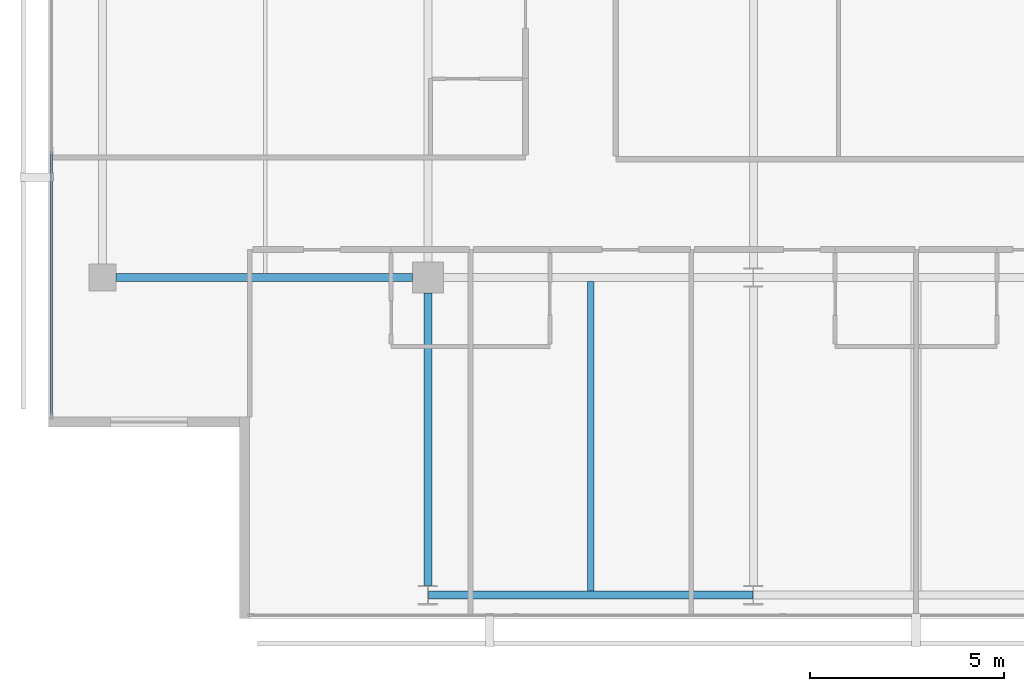
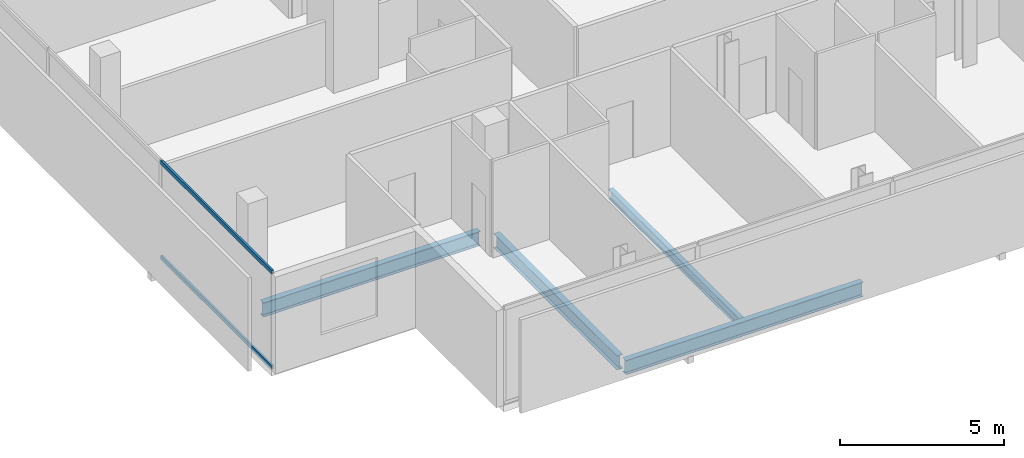
# One storey, part 3 of 25: 4 beams, 2 members, 1 element without a shape of its own.
"""IFC4 building model written with IfcOpenShell, lengths in metres."""

from ifc_helpers import new_model, si_unit, direction, frame, origin, origin_2d, place, context, subcontext, project, spatial, hollow_rectangle, i_section, extrude, material, layer, layer_set, material_profile, profile_set, type_object, element, aggregate, save


model = new_model("IFC4")

# Units and contexts
model_context = context("Model", 3, precision=1e-05, world=origin(), true_north=direction((0.0, 1.0)))
body_context = subcontext(model_context, "Body", "Model", "MODEL_VIEW")
ifc_project = project(units=[si_unit("LENGTHUNIT", "METRE"), si_unit("AREAUNIT", "SQUARE_METRE"), si_unit("VOLUMEUNIT", "CUBIC_METRE"), si_unit("PLANEANGLEUNIT", "RADIAN"), si_unit("MASSUNIT", "GRAM", prefix="KILO")], contexts=[model_context])

# Site, building, storey
site_placement = place(None, origin())
site = spatial("IfcSite", under=ifc_project, at=site_placement, CompositionType="ELEMENT")
building_placement = place(site_placement, origin())
building = spatial("IfcBuilding", under=site, at=building_placement, Name="Maruvema Waterfront Hotel and Observation Tower", CompositionType="ELEMENT")
storey_placement = place(building_placement, frame((0.0, 0.0, 239.39990234375)))
storey = spatial("IfcBuildingStorey", under=building, at=storey_placement, Name="L58", CompositionType="ELEMENT", Elevation=239.39990234375)

# Curtain wall, members
ifc_material_1 = material(Name="Anodised bronze aluminium and solar-control low-E IGU", Category="aluminium")
ifc_layer = layer(ifc_material_1, 0.159912109375, Name="Zone 3 Champagne Inner Thermal Curtain Wall System CW-04")
ifc_layer_set = layer_set([ifc_layer], Name="Anodised bronze aluminium and solar-control low-E IGU")
curtain_wall_type = type_object("IfcCurtainWallType", Name="Zone 3 Champagne Inner Thermal Curtain Wall System CW-04", PredefinedType="USERDEFINED", material=ifc_layer_set)
curtain_wall_placement = place(storey_placement, origin())
curtain_wall = element("IfcCurtainWall", 1, at=curtain_wall_placement, inside=storey, type_object=curtain_wall_type, Name="L58 Curtain Wall CW-L58-W", ObjectType="UNITISED CURTAIN WALL", PredefinedType="USERDEFINED")
ifc_material_2 = material(Name="Anodised architectural bronze aluminium", Category="aluminium")
ifc_material_profile_1 = material_profile(ifc_material_2, hollow_rectangle(XDim=0.070068359375, YDim=0.14990234375, WallThickness=0.00390625, at=origin_2d()), Name="ALU-T70x150")
ifc_profile_set_1 = profile_set([ifc_material_profile_1], Name="Anodised architectural bronze aluminium")
member_type = type_object("IfcMemberType", Name="Curtain Wall Horizontal Transom ALU-T70x150", PredefinedType="USERDEFINED", material=ifc_profile_set_1)
member_1_placement = place(storey_placement, frame((15.47998046875, 21.25, 0.030029296875), z_axis=(0.0, -1.0, 0.0), x_axis=(1.0, 0.0, 0.0)))
member_1 = element("IfcMember", 2, at=member_1_placement, type_object=member_type, Name="CW-04 transom 5.1", ObjectType="TRANSOM", PredefinedType="USERDEFINED", context=body_context, shape_type="SweptSolid", body=[
    extrude(hollow_rectangle(XDim=0.070068359375, YDim=0.14990234375, WallThickness=0.00390625, at=origin_2d()), origin(), (0.0, 0.0, 1.0), 6.7900390625),
])
member_2_placement = place(storey_placement, frame((15.47998046875, 21.25, 3.580078125), z_axis=(0.0, -1.0, 0.0), x_axis=(1.0, 0.0, 0.0)))
member_2 = element("IfcMember", 3, at=member_2_placement, type_object=member_type, Name="CW-04 transom 5.2", ObjectType="TRANSOM", PredefinedType="USERDEFINED", context=body_context, shape_type="SweptSolid", body=[
    extrude(hollow_rectangle(XDim=0.070068359375, YDim=0.14990234375, WallThickness=0.00390625, at=origin_2d()), origin(), (0.0, 0.0, 1.0), 6.7900390625),
])
aggregate(curtain_wall, [member_1, member_2])

# Beams
ifc_material_3 = material(Name="Steel ASTM A572 Grade 50", Category="steel")
ifc_material_profile_2 = material_profile(ifc_material_3, i_section(OverallWidth=0.208984375, OverallDepth=0.532958984375, WebThickness=0.01025390625, FlangeThickness=0.015625, FilletRadius=0.014892578125, at=origin_2d()), Name="W530x92.0")
ifc_profile_set_2 = profile_set([ifc_material_profile_2], Name="Steel ASTM A572 Grade 50")
beam_type_1 = type_object("IfcBeamType", Name="Primary Floor Girder W530x92.0", PredefinedType="BEAM", material=ifc_profile_set_2)
beam_1_placement = place(storey_placement, frame((25.2109375, 9.800048828125, -0.50634765625), z_axis=(1.0, 0.0, 0.0), x_axis=(0.0, 1.0, 0.0)))
element("IfcBeam", 4, at=beam_1_placement, inside=storey, type_object=beam_type_1, Name="L58 Floor Girder EW-01", PredefinedType="BEAM", context=body_context, shape_type="SweptSolid", body=[
    extrude(i_section(OverallWidth=0.208984375, OverallDepth=0.532958984375, WebThickness=0.01025390625, FlangeThickness=0.015625, FilletRadius=0.014892578125, at=origin_2d()), origin(), (0.0, 0.0, 1.0), 8.378173828125),
])
beam_2_placement = place(storey_placement, frame((17.14990234375, 18.0, -0.50634765625), z_axis=(1.0, 0.0, 0.0), x_axis=(0.0, 1.0, 0.0)))
element("IfcBeam", 5, at=beam_2_placement, inside=storey, type_object=beam_type_1, Name="L58 Floor Girder EW-04", PredefinedType="BEAM", context=body_context, shape_type="SweptSolid", body=[
    extrude(i_section(OverallWidth=0.208984375, OverallDepth=0.532958984375, WebThickness=0.01025390625, FlangeThickness=0.015625, FilletRadius=0.014892578125, at=origin_2d()), origin(), (0.0, 0.0, 1.0), 7.650146484375),
])
beam_3_placement = place(storey_placement, frame((25.199951171875, 10.050048828125, -0.50634765625), z_axis=(0.0, 1.0, 0.0), x_axis=(-1.0, 0.0, 0.0)))
element("IfcBeam", 6, at=beam_3_placement, inside=storey, type_object=beam_type_1, Name="L58 Floor Girder NS-04", PredefinedType="BEAM", context=body_context, shape_type="SweptSolid", body=[
    extrude(i_section(OverallWidth=0.208984375, OverallDepth=0.532958984375, WebThickness=0.01025390625, FlangeThickness=0.015625, FilletRadius=0.014892578125, at=origin_2d()), origin(), (0.0, 0.0, 1.0), 7.550048828125),
])
ifc_material_4 = material(Name="Steel ASTM A572 Grade 50", Category="steel")
ifc_material_profile_3 = material_profile(ifc_material_4, i_section(OverallWidth=0.1708984375, OverallDepth=0.35498046875, WebThickness=0.007080078125, FlangeThickness=0.01171875, FilletRadius=0.014892578125, at=origin_2d()), Name="W360x51.0")
ifc_profile_set_3 = profile_set([ifc_material_profile_3], Name="Steel ASTM A572 Grade 50")
beam_type_2 = type_object("IfcBeamType", Name="Secondary Floor Joist W360x51.0", PredefinedType="JOIST", material=ifc_profile_set_3)
beam_4_placement = place(storey_placement, frame((29.39990234375, 9.904541015625, -0.41748046875), z_axis=(0.0, 1.0, 0.0), x_axis=(-1.0, 0.0, 0.0)))
element("IfcBeam", 7, at=beam_4_placement, inside=storey, type_object=beam_type_2, Name="L58 Secondary Floor Joist JS-04", PredefinedType="JOIST", context=body_context, shape_type="SweptSolid", body=[
    extrude(i_section(OverallWidth=0.1708984375, OverallDepth=0.35498046875, WebThickness=0.007080078125, FlangeThickness=0.01171875, FilletRadius=0.014892578125, at=origin_2d()), origin(), (0.0, 0.0, 1.0), 7.990966796875),
])

save(model, "model.ifc")
